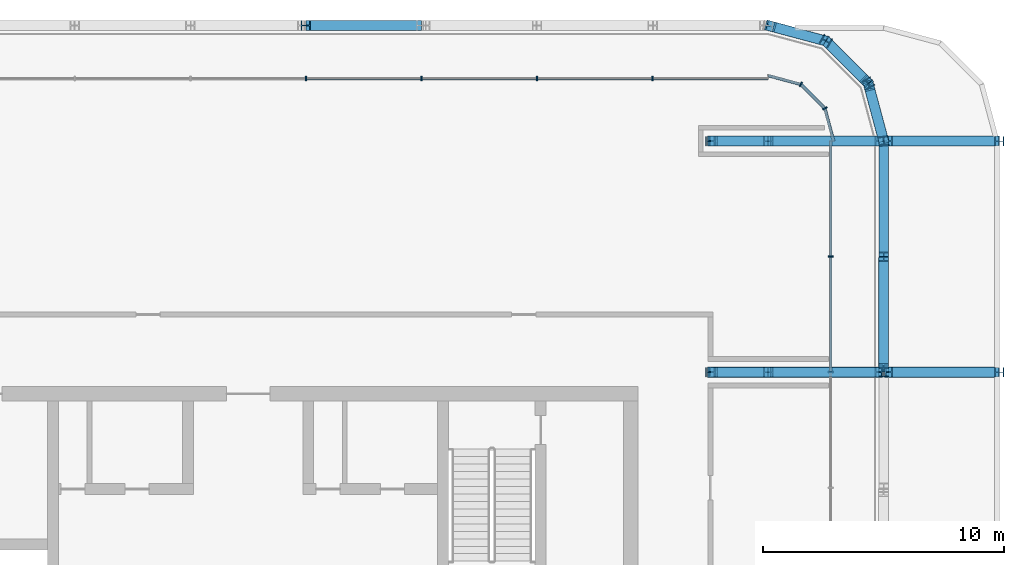
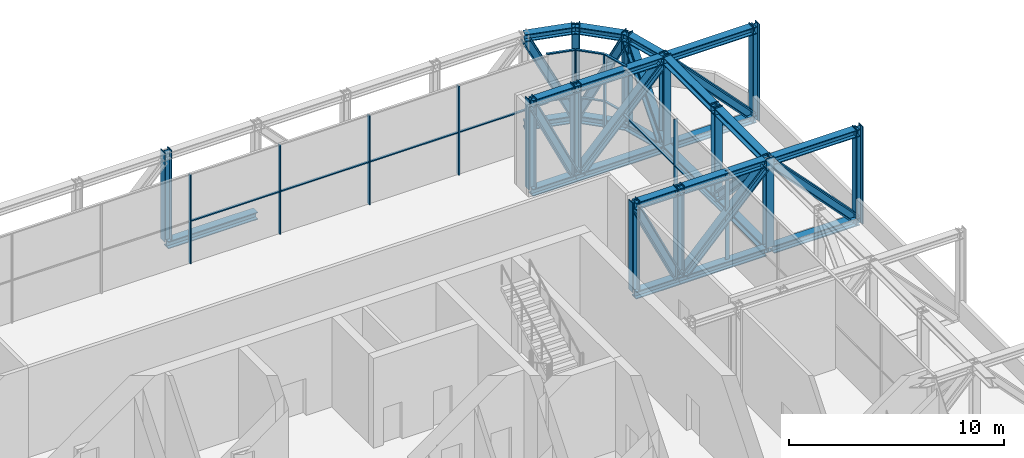
# One storey, part 14 of 26: 65 members, 3 elements without a shape of their own.
"""IFC4 building model written with IfcOpenShell, lengths in metres."""

from ifc_helpers import new_model, si_unit, direction, frame, origin, origin_2d, place, context, subcontext, project, spatial, rectangle, i_section, extrude, material, layer, layer_set, material_profile, profile_set, type_object, element, aggregate, save


model = new_model("IFC4")

# Units and contexts
model_context = context("Model", 3, precision=1e-05, world=origin(), true_north=direction((0.0, 1.0)))
body_context = subcontext(model_context, "Body", "Model", "MODEL_VIEW")
ifc_project = project(units=[si_unit("LENGTHUNIT", "METRE"), si_unit("AREAUNIT", "SQUARE_METRE"), si_unit("VOLUMEUNIT", "CUBIC_METRE"), si_unit("PLANEANGLEUNIT", "RADIAN"), si_unit("MASSUNIT", "GRAM", prefix="KILO")], contexts=[model_context])

# Site, building, storey
site_placement = place(None, origin())
site = spatial("IfcSite", under=ifc_project, at=site_placement, CompositionType="ELEMENT")
building_placement = place(site_placement, origin())
building = spatial("IfcBuilding", under=site, at=building_placement, Name="Madar Terraces", CompositionType="ELEMENT")
storey_placement = place(building_placement, frame((0.0, 0.0, 233.300048828125)))
storey = spatial("IfcBuildingStorey", under=building, at=storey_placement, Name="L61", CompositionType="ELEMENT", Elevation=233.300048828125)

# Members
ifc_material_1 = material(Name="Steel ASTM A992 Grade 50", Category="steel")
ifc_material_profile_1 = material_profile(ifc_material_1, i_section(OverallWidth=0.408935546875, OverallDepth=0.424072265625, WebThickness=0.03271484375, FlangeThickness=0.052490234375, at=origin_2d()), Name="W14x283")
ifc_profile_set_1 = profile_set([ifc_material_profile_1], Name="Steel ASTM A992 Grade 50")
member_type_1 = type_object("IfcMemberType", Name="BC8 W14x283", PredefinedType="CHORD", material=ifc_profile_set_1)
for number, where, z_axis, x_axis, name in (
    (1, (57.60009765625, 38.39990234375, -0.2080078125), (0.0, 1.0, 0.0), (-1.0, 0.0, 0.0), "Exoskeleton truss ring bottom chord BC8"),
    (2, (57.60009765625, 43.199951171875, -0.2080078125), (0.0, 1.0, 0.0), (-1.0, 0.0, 0.0), "Exoskeleton truss ring bottom chord BC8"),
):
    element("IfcMember", number, at=place(storey_placement, frame(where, z_axis=z_axis, x_axis=x_axis)), inside=storey, type_object=member_type_1, Name=name, PredefinedType="CHORD", context=body_context, shape_type="SweptSolid", body=[
        extrude(i_section(OverallWidth=0.408935546875, OverallDepth=0.424072265625, WebThickness=0.03271484375, FlangeThickness=0.052490234375, at=origin_2d()), origin(), (0.0, 0.0, 1.0), 4.800048828125),
    ])
member_1_placement = place(storey_placement, frame((57.60009765625, 48.0, -0.2080078125), z_axis=(-0.258824494443, 0.965924366126, 0.0), x_axis=(-0.965924366126, -0.258824494443, 0.0)))
element("IfcMember", 3, at=member_1_placement, inside=storey, type_object=member_type_1, Name="Exoskeleton truss ring bottom chord BC8", PredefinedType="CHORD", context=body_context, shape_type="SweptSolid", body=[
    extrude(i_section(OverallWidth=0.408935546875, OverallDepth=0.424072265625, WebThickness=0.03271484375, FlangeThickness=0.052490234375, at=origin_2d()), origin(), (0.0, 0.0, 1.0), 2.484619140625),
])
member_2_placement = place(storey_placement, frame((56.95703125, 50.39990234375, -0.2080078125), z_axis=(-0.707106781187, 0.707106781187, 0.0), x_axis=(-0.707106781187, -0.707106781187, 0.0)))
element("IfcMember", 4, at=member_2_placement, inside=storey, type_object=member_type_1, Name="Exoskeleton truss ring bottom chord BC8", PredefinedType="CHORD", context=body_context, shape_type="SweptSolid", body=[
    extrude(i_section(OverallWidth=0.408935546875, OverallDepth=0.424072265625, WebThickness=0.03271484375, FlangeThickness=0.052490234375, at=origin_2d()), origin(), (0.0, 0.0, 1.0), 2.48486328125),
])
member_3_placement = place(storey_placement, frame((55.199951171875, 52.156982421875, -0.2080078125), z_axis=(-0.965924366126, 0.258824494443, 0.0), x_axis=(-0.258824494443, -0.965924366126, 0.0)))
element("IfcMember", 5, at=member_3_placement, inside=storey, type_object=member_type_1, Name="Exoskeleton truss ring bottom chord BC8", PredefinedType="CHORD", context=body_context, shape_type="SweptSolid", body=[
    extrude(i_section(OverallWidth=0.408935546875, OverallDepth=0.424072265625, WebThickness=0.03271484375, FlangeThickness=0.052490234375, at=origin_2d()), origin(), (0.0, 0.0, 1.0), 2.484619140625),
])
member_4_placement = place(storey_placement, frame((38.39990234375, 52.800048828125, -0.2080078125), z_axis=(-1.0, 0.0, 0.0), x_axis=(0.0, -1.0, 0.0)))
element("IfcMember", 6, at=member_4_placement, inside=storey, type_object=member_type_1, Name="Exoskeleton truss ring bottom chord BC8", PredefinedType="CHORD", context=body_context, shape_type="SweptSolid", body=[
    extrude(i_section(OverallWidth=0.408935546875, OverallDepth=0.424072265625, WebThickness=0.03271484375, FlangeThickness=0.052490234375, at=origin_2d()), origin(), (0.0, 0.0, 1.0), 4.7998046875),
])
for number, where, z_axis, x_axis, name in (
    (7, (62.39990234375, 38.39990234375, -0.2080078125), (-1.0, 0.0, 0.0), (0.0, -1.0, 0.0), "Exoskeleton truss cross E38.4 bottom chord BC8"),
    (8, (57.3955078125, 38.39990234375, -0.2080078125), (-1.0, 0.0, 0.0), (0.0, -1.0, 0.0), "Exoskeleton truss cross E38.4 bottom chord BC8"),
):
    element("IfcMember", number, at=place(storey_placement, frame(where, z_axis=z_axis, x_axis=x_axis)), inside=storey, type_object=member_type_1, Name=name, PredefinedType="CHORD", context=body_context, shape_type="SweptSolid", body=[
        extrude(i_section(OverallWidth=0.408935546875, OverallDepth=0.424072265625, WebThickness=0.03271484375, FlangeThickness=0.052490234375, at=origin_2d()), origin(), (0.0, 0.0, 1.0), 4.595458984375),
    ])
member_5_placement = place(storey_placement, frame((52.800048828125, 38.39990234375, -0.2080078125), z_axis=(-1.0, 0.0, 0.0), x_axis=(0.0, -1.0, 0.0)))
element("IfcMember", 9, at=member_5_placement, inside=storey, type_object=member_type_1, Name="Exoskeleton truss cross E38.4 bottom chord BC8", PredefinedType="CHORD", context=body_context, shape_type="SweptSolid", body=[
    extrude(i_section(OverallWidth=0.408935546875, OverallDepth=0.424072265625, WebThickness=0.03271484375, FlangeThickness=0.052490234375, at=origin_2d()), origin(), (0.0, 0.0, 1.0), 2.400146484375),
])
for number, where, z_axis, x_axis, name in (
    (10, (62.39990234375, 48.0, -0.2080078125), (-1.0, 0.0, 0.0), (0.0, -1.0, 0.0), "Exoskeleton truss cross E48 bottom chord BC8"),
    (11, (57.3955078125, 48.0, -0.2080078125), (-1.0, 0.0, 0.0), (0.0, -1.0, 0.0), "Exoskeleton truss cross E48 bottom chord BC8"),
):
    element("IfcMember", number, at=place(storey_placement, frame(where, z_axis=z_axis, x_axis=x_axis)), inside=storey, type_object=member_type_1, Name=name, PredefinedType="CHORD", context=body_context, shape_type="SweptSolid", body=[
        extrude(i_section(OverallWidth=0.408935546875, OverallDepth=0.424072265625, WebThickness=0.03271484375, FlangeThickness=0.052490234375, at=origin_2d()), origin(), (0.0, 0.0, 1.0), 4.595458984375),
    ])
member_6_placement = place(storey_placement, frame((52.800048828125, 48.0, -0.2080078125), z_axis=(-1.0, 0.0, 0.0), x_axis=(0.0, -1.0, 0.0)))
element("IfcMember", 12, at=member_6_placement, inside=storey, type_object=member_type_1, Name="Exoskeleton truss cross E48 bottom chord BC8", PredefinedType="CHORD", context=body_context, shape_type="SweptSolid", body=[
    extrude(i_section(OverallWidth=0.408935546875, OverallDepth=0.424072265625, WebThickness=0.03271484375, FlangeThickness=0.052490234375, at=origin_2d()), origin(), (0.0, 0.0, 1.0), 2.400146484375),
])

# Curtain wall, members
ifc_material_2 = material(Name="Glass, ceramic frit dark grey, with black aluminium frame", Category="aluminium")
ifc_layer = layer(ifc_material_2, 0.199951171875)
ifc_layer_set = layer_set([ifc_layer], Name="Facade curtain wall, tall glazing")
curtain_wall_type = type_object("IfcCurtainWallType", Name="Facade curtain wall, tall glazing", PredefinedType="NOTDEFINED", material=ifc_layer_set)
curtain_wall_1_placement = place(storey_placement, origin())
curtain_wall_1 = element("IfcCurtainWall", 13, at=curtain_wall_1_placement, inside=storey, type_object=curtain_wall_type, Name="Outer skin curtain wall east bay 1", PredefinedType="NOTDEFINED")
ifc_material_3 = material(Name="Aluminium, black anodised", Category="aluminium")
ifc_material_profile_2 = material_profile(ifc_material_3, rectangle(XDim=0.199951171875, YDim=0.06005859375, at=origin_2d()), Name="Facade mullion 60x200")
ifc_profile_set_2 = profile_set([ifc_material_profile_2], Name="Aluminium, black anodised")
member_type_2 = type_object("IfcMemberType", Name="Facade mullion 60x200", PredefinedType="MULLION", material=ifc_profile_set_2)
member_7_placement = place(storey_placement, frame((55.39990234375, 38.39990234375, 0.0), z_axis=(0.0, 0.0, 1.0), x_axis=(-1.0, 0.0, 0.0)))
member_7 = element("IfcMember", 14, at=member_7_placement, type_object=member_type_2, Name="Mullion 6", PredefinedType="MULLION", context=body_context, shape_type="SweptSolid", body=[
    extrude(rectangle(XDim=0.199951171875, YDim=0.06005859375, at=origin_2d()), origin(), (0.0, 0.0, 1.0), 5.0400390625),
])
member_8_placement = place(storey_placement, frame((55.39990234375, 43.199951171875, 0.0), z_axis=(0.0, 0.0, 1.0), x_axis=(-1.0, 0.0, 0.0)))
member_8 = element("IfcMember", 15, at=member_8_placement, type_object=member_type_2, Name="Mullion 7", PredefinedType="MULLION", context=body_context, shape_type="SweptSolid", body=[
    extrude(rectangle(XDim=0.199951171875, YDim=0.06005859375, at=origin_2d()), origin(), (0.0, 0.0, 1.0), 5.0400390625),
])

curtain_wall_2_placement = place(storey_placement, origin())
curtain_wall_2 = element("IfcCurtainWall", 16, at=curtain_wall_2_placement, inside=storey, type_object=curtain_wall_type, Name="Outer skin curtain wall north bay 1", PredefinedType="NOTDEFINED")
member_9_placement = place(storey_placement, frame((48.0, 50.60009765625, 0.0), z_axis=(0.0, 0.0, 1.0), x_axis=(0.0, -1.0, 0.0)))
member_9 = element("IfcMember", 17, at=member_9_placement, type_object=member_type_2, Name="Mullion 1", PredefinedType="MULLION", context=body_context, shape_type="SweptSolid", body=[
    extrude(rectangle(XDim=0.199951171875, YDim=0.06005859375, at=origin_2d()), origin(), (0.0, 0.0, 1.0), 5.0400390625),
])
member_10_placement = place(storey_placement, frame((43.199951171875, 50.60009765625, 0.0), z_axis=(0.0, 0.0, 1.0), x_axis=(0.0, -1.0, 0.0)))
member_10 = element("IfcMember", 18, at=member_10_placement, type_object=member_type_2, Name="Mullion 2", PredefinedType="MULLION", context=body_context, shape_type="SweptSolid", body=[
    extrude(rectangle(XDim=0.199951171875, YDim=0.06005859375, at=origin_2d()), origin(), (0.0, 0.0, 1.0), 5.0400390625),
])
member_11_placement = place(storey_placement, frame((38.39990234375, 50.60009765625, 0.0), z_axis=(0.0, 0.0, 1.0), x_axis=(0.0, -1.0, 0.0)))
member_11 = element("IfcMember", 19, at=member_11_placement, type_object=member_type_2, Name="Mullion 3", PredefinedType="MULLION", context=body_context, shape_type="SweptSolid", body=[
    extrude(rectangle(XDim=0.199951171875, YDim=0.06005859375, at=origin_2d()), origin(), (0.0, 0.0, 1.0), 5.0400390625),
])
member_12_placement = place(storey_placement, frame((33.60009765625, 50.60009765625, 0.0), z_axis=(0.0, 0.0, 1.0), x_axis=(0.0, -1.0, 0.0)))
member_12 = element("IfcMember", 20, at=member_12_placement, type_object=member_type_2, Name="Mullion 4", PredefinedType="MULLION", context=body_context, shape_type="SweptSolid", body=[
    extrude(rectangle(XDim=0.199951171875, YDim=0.06005859375, at=origin_2d()), origin(), (0.0, 0.0, 1.0), 5.0400390625),
])

curtain_wall_3_placement = place(storey_placement, origin())
curtain_wall_3 = element("IfcCurtainWall", 21, at=curtain_wall_3_placement, inside=storey, type_object=curtain_wall_type, Name="Outer skin curtain wall north-east corner", PredefinedType="NOTDEFINED")
member_13_placement = place(storey_placement, frame((55.155517578125, 49.360107421875, 0.0), z_axis=(0.0, 0.0, 1.0), x_axis=(-0.866025386925, -0.500000029202, 0.0)))
member_13 = element("IfcMember", 22, at=member_13_placement, type_object=member_type_2, Name="Mullion 1", PredefinedType="MULLION", context=body_context, shape_type="SweptSolid", body=[
    extrude(rectangle(XDim=0.199951171875, YDim=0.06005859375, at=origin_2d()), origin(), (0.0, 0.0, 1.0), 5.0400390625),
])
member_14_placement = place(storey_placement, frame((54.159912109375, 50.35546875, 0.0), z_axis=(0.0, 0.0, 1.0), x_axis=(-0.500000029202, -0.866025386925, 0.0)))
member_14 = element("IfcMember", 23, at=member_14_placement, type_object=member_type_2, Name="Mullion 2", PredefinedType="MULLION", context=body_context, shape_type="SweptSolid", body=[
    extrude(rectangle(XDim=0.199951171875, YDim=0.06005859375, at=origin_2d()), origin(), (0.0, 0.0, 1.0), 5.0400390625),
])

# Member
ifc_material_4 = material(Name="Aluminium, black anodised", Category="aluminium")
ifc_material_profile_3 = material_profile(ifc_material_4, rectangle(XDim=0.1201171875, YDim=0.06005859375, at=origin_2d()), Name="Facade transom 60x120")
ifc_profile_set_3 = profile_set([ifc_material_profile_3], Name="Aluminium, black anodised")
member_type_3 = type_object("IfcMemberType", Name="Facade transom 60x120", PredefinedType="USERDEFINED", material=ifc_profile_set_3)
member_15_placement = place(storey_placement, frame((55.39990234375, 38.429931640625, 2.39990234375), z_axis=(0.0, 1.0, 0.0), x_axis=(-1.0, 0.0, 0.0)))
member_15 = element("IfcMember", 24, at=member_15_placement, type_object=member_type_3, Name="Transom 8", ObjectType="TRANSOM", PredefinedType="USERDEFINED", context=body_context, shape_type="SweptSolid", body=[
    extrude(rectangle(XDim=0.1201171875, YDim=0.06005859375, at=origin_2d()), origin(), (0.0, 0.0, 1.0), 4.739990234375),
])

member_16_placement = place(storey_placement, frame((55.39990234375, 43.22998046875, 2.39990234375), z_axis=(0.0, 1.0, 0.0), x_axis=(-1.0, 0.0, 0.0)))
member_16 = element("IfcMember", 25, at=member_16_placement, type_object=member_type_3, Name="Transom 9", ObjectType="TRANSOM", PredefinedType="USERDEFINED", context=body_context, shape_type="SweptSolid", body=[
    extrude(rectangle(XDim=0.1201171875, YDim=0.06005859375, at=origin_2d()), origin(), (0.0, 0.0, 1.0), 4.77001953125),
])

aggregate(curtain_wall_1, [member_7, member_8, member_15, member_16])

member_17_placement = place(storey_placement, frame((52.800048828125, 50.60009765625, 2.39990234375), z_axis=(-1.0, 0.0, 0.0), x_axis=(0.0, -1.0, 0.0)))
member_17 = element("IfcMember", 26, at=member_17_placement, type_object=member_type_3, Name="Transom 2", ObjectType="TRANSOM", PredefinedType="USERDEFINED", context=body_context, shape_type="SweptSolid", body=[
    extrude(rectangle(XDim=0.1201171875, YDim=0.06005859375, at=origin_2d()), origin(), (0.0, 0.0, 1.0), 4.77001953125),
])

member_18_placement = place(storey_placement, frame((47.969970703125, 50.60009765625, 2.39990234375), z_axis=(-1.0, 0.0, 0.0), x_axis=(0.0, -1.0, 0.0)))
member_18 = element("IfcMember", 27, at=member_18_placement, type_object=member_type_3, Name="Transom 3", ObjectType="TRANSOM", PredefinedType="USERDEFINED", context=body_context, shape_type="SweptSolid", body=[
    extrude(rectangle(XDim=0.1201171875, YDim=0.06005859375, at=origin_2d()), origin(), (0.0, 0.0, 1.0), 4.739990234375),
])

member_19_placement = place(storey_placement, frame((43.169921875, 50.60009765625, 2.39990234375), z_axis=(-1.0, 0.0, 0.0), x_axis=(0.0, -1.0, 0.0)))
member_19 = element("IfcMember", 28, at=member_19_placement, type_object=member_type_3, Name="Transom 4", ObjectType="TRANSOM", PredefinedType="USERDEFINED", context=body_context, shape_type="SweptSolid", body=[
    extrude(rectangle(XDim=0.1201171875, YDim=0.06005859375, at=origin_2d()), origin(), (0.0, 0.0, 1.0), 4.739990234375),
])

member_20_placement = place(storey_placement, frame((38.3701171875, 50.60009765625, 2.39990234375), z_axis=(-1.0, 0.0, 0.0), x_axis=(0.0, -1.0, 0.0)))
member_20 = element("IfcMember", 29, at=member_20_placement, type_object=member_type_3, Name="Transom 5", ObjectType="TRANSOM", PredefinedType="USERDEFINED", context=body_context, shape_type="SweptSolid", body=[
    extrude(rectangle(XDim=0.1201171875, YDim=0.06005859375, at=origin_2d()), origin(), (0.0, 0.0, 1.0), 4.740234375),
])

aggregate(curtain_wall_2, [member_9, member_10, member_11, member_12, member_17, member_18, member_19, member_20])

member_21_placement = place(storey_placement, frame((55.52001953125, 48.0, 5.070068359375), z_axis=(-0.258842352791, 0.965919580711, 0.0), x_axis=(-0.965919580711, -0.258842352791, 0.0)))
member_21 = element("IfcMember", 30, at=member_21_placement, type_object=member_type_3, Name="Transom 1", ObjectType="TRANSOM", PredefinedType="USERDEFINED", context=body_context, shape_type="SweptSolid", body=[
    extrude(rectangle(XDim=0.1201171875, YDim=0.06005859375, at=origin_2d()), origin(), (0.0, 0.0, 1.0), 1.3779296875),
])

member_22_placement = place(storey_placement, frame((55.52001953125, 48.0, 2.39990234375), z_axis=(-0.258842352791, 0.965919580711, 0.0), x_axis=(-0.965919580711, -0.258842352791, 0.0)))
member_22 = element("IfcMember", 31, at=member_22_placement, type_object=member_type_3, Name="Transom 2", ObjectType="TRANSOM", PredefinedType="USERDEFINED", context=body_context, shape_type="SweptSolid", body=[
    extrude(rectangle(XDim=0.1201171875, YDim=0.06005859375, at=origin_2d()), origin(), (0.0, 0.0, 1.0), 1.3779296875),
])

member_23_placement = place(storey_placement, frame((55.13427734375, 49.381103515625, 5.070068359375), z_axis=(-0.707016225155, 0.707197325622, 0.0), x_axis=(-0.707197325622, -0.707016225155, 0.0)))
member_23 = element("IfcMember", 32, at=member_23_placement, type_object=member_type_3, Name="Transom 3", ObjectType="TRANSOM", PredefinedType="USERDEFINED", context=body_context, shape_type="SweptSolid", body=[
    extrude(rectangle(XDim=0.1201171875, YDim=0.06005859375, at=origin_2d()), origin(), (0.0, 0.0, 1.0), 1.34814453125),
])

member_24_placement = place(storey_placement, frame((55.13427734375, 49.381103515625, 2.39990234375), z_axis=(-0.707016225155, 0.707197325622, 0.0), x_axis=(-0.707197325622, -0.707016225155, 0.0)))
member_24 = element("IfcMember", 33, at=member_24_placement, type_object=member_type_3, Name="Transom 4", ObjectType="TRANSOM", PredefinedType="USERDEFINED", context=body_context, shape_type="SweptSolid", body=[
    extrude(rectangle(XDim=0.1201171875, YDim=0.06005859375, at=origin_2d()), origin(), (0.0, 0.0, 1.0), 1.34814453125),
])

member_25_placement = place(storey_placement, frame((54.131103515625, 50.36328125, 5.070068359375), z_axis=(-0.965919580711, 0.258842352791, 0.0), x_axis=(-0.258842352791, -0.965919580711, 0.0)))
member_25 = element("IfcMember", 34, at=member_25_placement, type_object=member_type_3, Name="Transom 5", ObjectType="TRANSOM", PredefinedType="USERDEFINED", context=body_context, shape_type="SweptSolid", body=[
    extrude(rectangle(XDim=0.1201171875, YDim=0.06005859375, at=origin_2d()), origin(), (0.0, 0.0, 1.0), 1.3779296875),
])

member_26_placement = place(storey_placement, frame((54.131103515625, 50.36328125, 2.39990234375), z_axis=(-0.965919580711, 0.258842352791, 0.0), x_axis=(-0.258842352791, -0.965919580711, 0.0)))
member_26 = element("IfcMember", 35, at=member_26_placement, type_object=member_type_3, Name="Transom 6", ObjectType="TRANSOM", PredefinedType="USERDEFINED", context=body_context, shape_type="SweptSolid", body=[
    extrude(rectangle(XDim=0.1201171875, YDim=0.06005859375, at=origin_2d()), origin(), (0.0, 0.0, 1.0), 1.3779296875),
])

aggregate(curtain_wall_3, [member_13, member_21, member_22, member_14, member_23, member_24, member_25, member_26])

# Members
ifc_material_5 = material(Name="Steel ASTM A992 Grade 50", Category="steel")
ifc_material_profile_4 = material_profile(ifc_material_5, i_section(OverallWidth=0.40380859375, OverallDepth=0.406494140625, WebThickness=0.027099609375, FlangeThickness=0.043701171875, at=origin_2d()), Name="W14x233")
ifc_profile_set_4 = profile_set([ifc_material_profile_4], Name="Steel ASTM A992 Grade 50")
member_type_4 = type_object("IfcMemberType", Name="TC8 W14x233", PredefinedType="CHORD", material=ifc_profile_set_4)
for number, where, z_axis, x_axis, name in (
    (36, (57.60009765625, 38.39990234375, 4.82666015625), (0.0, 1.0, 0.0), (-1.0, 0.0, 0.0), "Exoskeleton truss ring top chord TC8"),
    (37, (57.60009765625, 43.199951171875, 4.82666015625), (0.0, 1.0, 0.0), (-1.0, 0.0, 0.0), "Exoskeleton truss ring top chord TC8"),
):
    element("IfcMember", number, at=place(storey_placement, frame(where, z_axis=z_axis, x_axis=x_axis)), inside=storey, type_object=member_type_4, Name=name, PredefinedType="CHORD", context=body_context, shape_type="SweptSolid", body=[
        extrude(i_section(OverallWidth=0.40380859375, OverallDepth=0.406494140625, WebThickness=0.027099609375, FlangeThickness=0.043701171875, at=origin_2d()), origin(), (0.0, 0.0, 1.0), 4.800048828125),
    ])
member_27_placement = place(storey_placement, frame((57.60009765625, 48.0, 4.82666015625), z_axis=(-0.258824494443, 0.965924366126, 0.0), x_axis=(-0.965924366126, -0.258824494443, 0.0)))
element("IfcMember", 38, at=member_27_placement, inside=storey, type_object=member_type_4, Name="Exoskeleton truss ring top chord TC8", PredefinedType="CHORD", context=body_context, shape_type="SweptSolid", body=[
    extrude(i_section(OverallWidth=0.40380859375, OverallDepth=0.406494140625, WebThickness=0.027099609375, FlangeThickness=0.043701171875, at=origin_2d()), origin(), (0.0, 0.0, 1.0), 2.484619140625),
])
member_28_placement = place(storey_placement, frame((56.95703125, 50.39990234375, 4.82666015625), z_axis=(-0.707106781187, 0.707106781187, 0.0), x_axis=(-0.707106781187, -0.707106781187, 0.0)))
element("IfcMember", 39, at=member_28_placement, inside=storey, type_object=member_type_4, Name="Exoskeleton truss ring top chord TC8", PredefinedType="CHORD", context=body_context, shape_type="SweptSolid", body=[
    extrude(i_section(OverallWidth=0.40380859375, OverallDepth=0.406494140625, WebThickness=0.027099609375, FlangeThickness=0.043701171875, at=origin_2d()), origin(), (0.0, 0.0, 1.0), 2.48486328125),
])
member_29_placement = place(storey_placement, frame((55.199951171875, 52.156982421875, 4.82666015625), z_axis=(-0.965924366126, 0.258824494443, 0.0), x_axis=(-0.258824494443, -0.965924366126, 0.0)))
element("IfcMember", 40, at=member_29_placement, inside=storey, type_object=member_type_4, Name="Exoskeleton truss ring top chord TC8", PredefinedType="CHORD", context=body_context, shape_type="SweptSolid", body=[
    extrude(i_section(OverallWidth=0.40380859375, OverallDepth=0.406494140625, WebThickness=0.027099609375, FlangeThickness=0.043701171875, at=origin_2d()), origin(), (0.0, 0.0, 1.0), 2.484619140625),
])
for number, where, z_axis, x_axis, name in (
    (41, (62.39990234375, 38.39990234375, 4.82666015625), (-1.0, 0.0, 0.0), (0.0, -1.0, 0.0), "Exoskeleton truss cross E38.4 top chord TC8"),
    (42, (57.39794921875, 38.39990234375, 4.82666015625), (-1.0, 0.0, 0.0), (0.0, -1.0, 0.0), "Exoskeleton truss cross E38.4 top chord TC8"),
):
    element("IfcMember", number, at=place(storey_placement, frame(where, z_axis=z_axis, x_axis=x_axis)), inside=storey, type_object=member_type_4, Name=name, PredefinedType="CHORD", context=body_context, shape_type="SweptSolid", body=[
        extrude(i_section(OverallWidth=0.40380859375, OverallDepth=0.406494140625, WebThickness=0.027099609375, FlangeThickness=0.043701171875, at=origin_2d()), origin(), (0.0, 0.0, 1.0), 4.597900390625),
    ])
member_30_placement = place(storey_placement, frame((52.800048828125, 38.39990234375, 4.82666015625), z_axis=(-1.0, 0.0, 0.0), x_axis=(0.0, -1.0, 0.0)))
element("IfcMember", 43, at=member_30_placement, inside=storey, type_object=member_type_4, Name="Exoskeleton truss cross E38.4 top chord TC8", PredefinedType="CHORD", context=body_context, shape_type="SweptSolid", body=[
    extrude(i_section(OverallWidth=0.40380859375, OverallDepth=0.406494140625, WebThickness=0.027099609375, FlangeThickness=0.043701171875, at=origin_2d()), origin(), (0.0, 0.0, 1.0), 2.400146484375),
])
for number, where, z_axis, x_axis, name in (
    (44, (62.39990234375, 48.0, 4.82666015625), (-1.0, 0.0, 0.0), (0.0, -1.0, 0.0), "Exoskeleton truss cross E48 top chord TC8"),
    (45, (57.39794921875, 48.0, 4.82666015625), (-1.0, 0.0, 0.0), (0.0, -1.0, 0.0), "Exoskeleton truss cross E48 top chord TC8"),
):
    element("IfcMember", number, at=place(storey_placement, frame(where, z_axis=z_axis, x_axis=x_axis)), inside=storey, type_object=member_type_4, Name=name, PredefinedType="CHORD", context=body_context, shape_type="SweptSolid", body=[
        extrude(i_section(OverallWidth=0.40380859375, OverallDepth=0.406494140625, WebThickness=0.027099609375, FlangeThickness=0.043701171875, at=origin_2d()), origin(), (0.0, 0.0, 1.0), 4.597900390625),
    ])
member_31_placement = place(storey_placement, frame((52.800048828125, 48.0, 4.82666015625), z_axis=(-1.0, 0.0, 0.0), x_axis=(0.0, -1.0, 0.0)))
element("IfcMember", 46, at=member_31_placement, inside=storey, type_object=member_type_4, Name="Exoskeleton truss cross E48 top chord TC8", PredefinedType="CHORD", context=body_context, shape_type="SweptSolid", body=[
    extrude(i_section(OverallWidth=0.40380859375, OverallDepth=0.406494140625, WebThickness=0.027099609375, FlangeThickness=0.043701171875, at=origin_2d()), origin(), (0.0, 0.0, 1.0), 2.400146484375),
])
ifc_material_6 = material(Name="Steel ASTM A992 Grade 50", Category="steel")
ifc_material_profile_5 = material_profile(ifc_material_6, i_section(OverallWidth=0.419189453125, OverallDepth=0.45458984375, WebThickness=0.042236328125, FlangeThickness=0.067626953125, at=origin_2d()), Name="W14x370")
ifc_profile_set_5 = profile_set([ifc_material_profile_5], Name="Steel ASTM A992 Grade 50")
member_type_5 = type_object("IfcMemberType", Name="TD8 W14x370", PredefinedType="BRACE", material=ifc_profile_set_5)
member_32_placement = place(storey_placement, frame((57.60009765625, 38.59375, 4.62353515625), z_axis=(0.0, 0.690036191516, -0.723774864442), x_axis=(-1.0, 0.0, 0.0)))
element("IfcMember", 47, at=member_32_placement, inside=storey, type_object=member_type_5, Name="Exoskeleton truss ring diagonal TD8", PredefinedType="BRACE", context=body_context, shape_type="SweptSolid", body=[
    extrude(i_section(OverallWidth=0.419189453125, OverallDepth=0.45458984375, WebThickness=0.042236328125, FlangeThickness=0.067626953125, at=origin_2d()), origin(), (0.0, 0.0, 1.0), 6.38232421875),
])
for number, where, z_axis, x_axis, name in (
    (48, (57.572998046875, 48.10107421875, 0.004150390625), (-0.11455020944, 0.427489817606, 0.89673335243), (-0.965923195001, -0.258828865002, 0.0), "Exoskeleton truss ring diagonal TD8"),
    (49, (56.885986328125, 50.470947265625, 4.62353515625), (-0.312940687487, 0.312940687487, -0.896736445245), (-0.707106781187, -0.707106781187, 0.0), "Exoskeleton truss ring diagonal TD8"),
):
    element("IfcMember", number, at=place(storey_placement, frame(where, z_axis=z_axis, x_axis=x_axis)), inside=storey, type_object=member_type_5, Name=name, PredefinedType="BRACE", context=body_context, shape_type="SweptSolid", body=[
        extrude(i_section(OverallWidth=0.419189453125, OverallDepth=0.45458984375, WebThickness=0.042236328125, FlangeThickness=0.067626953125, at=origin_2d()), origin(), (0.0, 0.0, 1.0), 5.1513671875),
    ])
member_33_placement = place(storey_placement, frame((55.098876953125, 52.18408203125, 0.004150390625), z_axis=(-0.427453404173, 0.114505757233, 0.896756387667), x_axis=(-0.258755714489, -0.965942793451, 0.0)))
element("IfcMember", 50, at=member_33_placement, inside=storey, type_object=member_type_5, Name="Exoskeleton truss ring diagonal TD8", PredefinedType="BRACE", context=body_context, shape_type="SweptSolid", body=[
    extrude(i_section(OverallWidth=0.419189453125, OverallDepth=0.45458984375, WebThickness=0.042236328125, FlangeThickness=0.067626953125, at=origin_2d()), origin(), (0.0, 0.0, 1.0), 5.151123046875),
])
for number, where, z_axis, x_axis, name in (
    (51, (62.19775390625, 38.39990234375, 0.004150390625), (-0.690033293208, 0.0, 0.723777627635), (0.0, -1.0, 0.0), "Exoskeleton truss cross E38.4 diagonal TD8"),
    (52, (57.3955078125, 38.39990234375, 4.6123046875), (-0.690033293208, 0.0, -0.723777627635), (0.0, -1.0, 0.0), "Exoskeleton truss cross E38.4 diagonal TD8"),
):
    element("IfcMember", number, at=place(storey_placement, frame(where, z_axis=z_axis, x_axis=x_axis)), inside=storey, type_object=member_type_5, Name=name, PredefinedType="BRACE", context=body_context, shape_type="SweptSolid", body=[
        extrude(i_section(OverallWidth=0.419189453125, OverallDepth=0.45458984375, WebThickness=0.042236328125, FlangeThickness=0.067626953125, at=origin_2d()), origin(), (0.0, 0.0, 1.0), 6.36669921875),
    ])
member_34_placement = place(storey_placement, frame((52.698974609375, 38.39990234375, 0.004150390625), z_axis=(-0.430322432298, 0.0, 0.902675248504), x_axis=(0.0, -1.0, 0.0)))
element("IfcMember", 53, at=member_34_placement, inside=storey, type_object=member_type_5, Name="Exoskeleton truss cross E38.4 diagonal TD8", PredefinedType="BRACE", context=body_context, shape_type="SweptSolid", body=[
    extrude(i_section(OverallWidth=0.419189453125, OverallDepth=0.45458984375, WebThickness=0.042236328125, FlangeThickness=0.067626953125, at=origin_2d()), origin(), (0.0, 0.0, 1.0), 5.117431640625),
])
for number, where, z_axis, x_axis, name in (
    (54, (62.19775390625, 48.0, 0.004150390625), (-0.690033293208, 0.0, 0.723777627635), (0.0, -1.0, 0.0), "Exoskeleton truss cross E48 diagonal TD8"),
    (55, (57.3955078125, 48.0, 4.6123046875), (-0.690033293208, 0.0, -0.723777627635), (0.0, -1.0, 0.0), "Exoskeleton truss cross E48 diagonal TD8"),
):
    element("IfcMember", number, at=place(storey_placement, frame(where, z_axis=z_axis, x_axis=x_axis)), inside=storey, type_object=member_type_5, Name=name, PredefinedType="BRACE", context=body_context, shape_type="SweptSolid", body=[
        extrude(i_section(OverallWidth=0.419189453125, OverallDepth=0.45458984375, WebThickness=0.042236328125, FlangeThickness=0.067626953125, at=origin_2d()), origin(), (0.0, 0.0, 1.0), 6.36669921875),
    ])
member_35_placement = place(storey_placement, frame((52.698974609375, 48.0, 0.004150390625), z_axis=(-0.430322432298, 0.0, 0.902675248504), x_axis=(0.0, -1.0, 0.0)))
element("IfcMember", 56, at=member_35_placement, inside=storey, type_object=member_type_5, Name="Exoskeleton truss cross E48 diagonal TD8", PredefinedType="BRACE", context=body_context, shape_type="SweptSolid", body=[
    extrude(i_section(OverallWidth=0.419189453125, OverallDepth=0.45458984375, WebThickness=0.042236328125, FlangeThickness=0.067626953125, at=origin_2d()), origin(), (0.0, 0.0, 1.0), 5.117431640625),
])
ifc_material_7 = material(Name="Steel ASTM A992 Grade 50", Category="steel")
ifc_material_profile_6 = material_profile(ifc_material_7, i_section(OverallWidth=0.398681640625, OverallDepth=0.393798828125, WebThickness=0.022705078125, FlangeThickness=0.03662109375, at=origin_2d()), Name="W14x193")
ifc_profile_set_6 = profile_set([ifc_material_profile_6], Name="Steel ASTM A992 Grade 50")
member_type_6 = type_object("IfcMemberType", Name="TV8 W14x193", PredefinedType="POST", material=ifc_profile_set_6)
for number, where, z_axis, x_axis, name in (
    (57, (57.60009765625, 38.39990234375, 0.004150390625), (0.0, 0.0, 1.0), (-1.0, 0.0, 0.0), "Exoskeleton truss ring post TV8"),
    (58, (57.60009765625, 43.199951171875, 0.004150390625), (0.0, 0.0, 1.0), (-1.0, 0.0, 0.0), "Exoskeleton truss ring post TV8"),
    (59, (57.60009765625, 48.0, 0.004150390625), (0.0, 0.0, 1.0), (-0.991444863652, -0.130526174916, 0.0), "Exoskeleton truss ring post TV8"),
    (60, (56.95703125, 50.39990234375, 0.004150390625), (0.0, 0.0, 1.0), (-0.866025412511, -0.499999984885, 0.0), "Exoskeleton truss ring post TV8"),
    (61, (55.199951171875, 52.156982421875, 0.004150390625), (0.0, 0.0, 1.0), (-0.499999984885, -0.866025412511, 0.0), "Exoskeleton truss ring post TV8"),
    (62, (33.60009765625, 52.800048828125, 0.004150390625), (0.0, 0.0, 1.0), (0.0, -1.0, 0.0), "Exoskeleton truss ring post TV8"),
):
    element("IfcMember", number, at=place(storey_placement, frame(where, z_axis=z_axis, x_axis=x_axis)), inside=storey, type_object=member_type_6, Name=name, PredefinedType="POST", context=body_context, shape_type="SweptSolid", body=[
        extrude(i_section(OverallWidth=0.398681640625, OverallDepth=0.393798828125, WebThickness=0.022705078125, FlangeThickness=0.03662109375, at=origin_2d()), origin(), (0.0, 0.0, 1.0), 5.095703125),
    ])
member_36_placement = place(storey_placement, frame((62.39990234375, 38.39990234375, -0.420166015625), z_axis=(0.0, 0.0, 1.0), x_axis=(0.0, 1.0, 0.0)))
element("IfcMember", 63, at=member_36_placement, inside=storey, type_object=member_type_6, Name="Exoskeleton truss cross E38.4 post TV8", PredefinedType="POST", context=body_context, shape_type="SweptSolid", body=[
    extrude(i_section(OverallWidth=0.398681640625, OverallDepth=0.393798828125, WebThickness=0.022705078125, FlangeThickness=0.03662109375, at=origin_2d()), origin(), (0.0, 0.0, 1.0), 5.52001953125),
])
for number, where, z_axis, x_axis, name in (
    (64, (52.800048828125, 38.39990234375, 0.004150390625), (0.0, 0.0, 1.0), (0.0, 1.0, 0.0), "Exoskeleton truss cross E38.4 post TV8"),
    (65, (50.39990234375, 38.39990234375, 0.004150390625), (0.0, 0.0, 1.0), (0.0, 1.0, 0.0), "Exoskeleton truss cross E38.4 post TV8"),
):
    element("IfcMember", number, at=place(storey_placement, frame(where, z_axis=z_axis, x_axis=x_axis)), inside=storey, type_object=member_type_6, Name=name, PredefinedType="POST", context=body_context, shape_type="SweptSolid", body=[
        extrude(i_section(OverallWidth=0.398681640625, OverallDepth=0.393798828125, WebThickness=0.022705078125, FlangeThickness=0.03662109375, at=origin_2d()), origin(), (0.0, 0.0, 1.0), 5.095703125),
    ])
member_37_placement = place(storey_placement, frame((62.39990234375, 48.0, -0.420166015625), z_axis=(0.0, 0.0, 1.0), x_axis=(0.0, 1.0, 0.0)))
element("IfcMember", 66, at=member_37_placement, inside=storey, type_object=member_type_6, Name="Exoskeleton truss cross E48 post TV8", PredefinedType="POST", context=body_context, shape_type="SweptSolid", body=[
    extrude(i_section(OverallWidth=0.398681640625, OverallDepth=0.393798828125, WebThickness=0.022705078125, FlangeThickness=0.03662109375, at=origin_2d()), origin(), (0.0, 0.0, 1.0), 5.52001953125),
])
for number, where, z_axis, x_axis, name in (
    (67, (52.800048828125, 48.0, 0.004150390625), (0.0, 0.0, 1.0), (0.0, 1.0, 0.0), "Exoskeleton truss cross E48 post TV8"),
    (68, (50.39990234375, 48.0, 0.004150390625), (0.0, 0.0, 1.0), (0.0, 1.0, 0.0), "Exoskeleton truss cross E48 post TV8"),
):
    element("IfcMember", number, at=place(storey_placement, frame(where, z_axis=z_axis, x_axis=x_axis)), inside=storey, type_object=member_type_6, Name=name, PredefinedType="POST", context=body_context, shape_type="SweptSolid", body=[
        extrude(i_section(OverallWidth=0.398681640625, OverallDepth=0.393798828125, WebThickness=0.022705078125, FlangeThickness=0.03662109375, at=origin_2d()), origin(), (0.0, 0.0, 1.0), 5.095703125),
    ])

save(model, "model.ifc")
